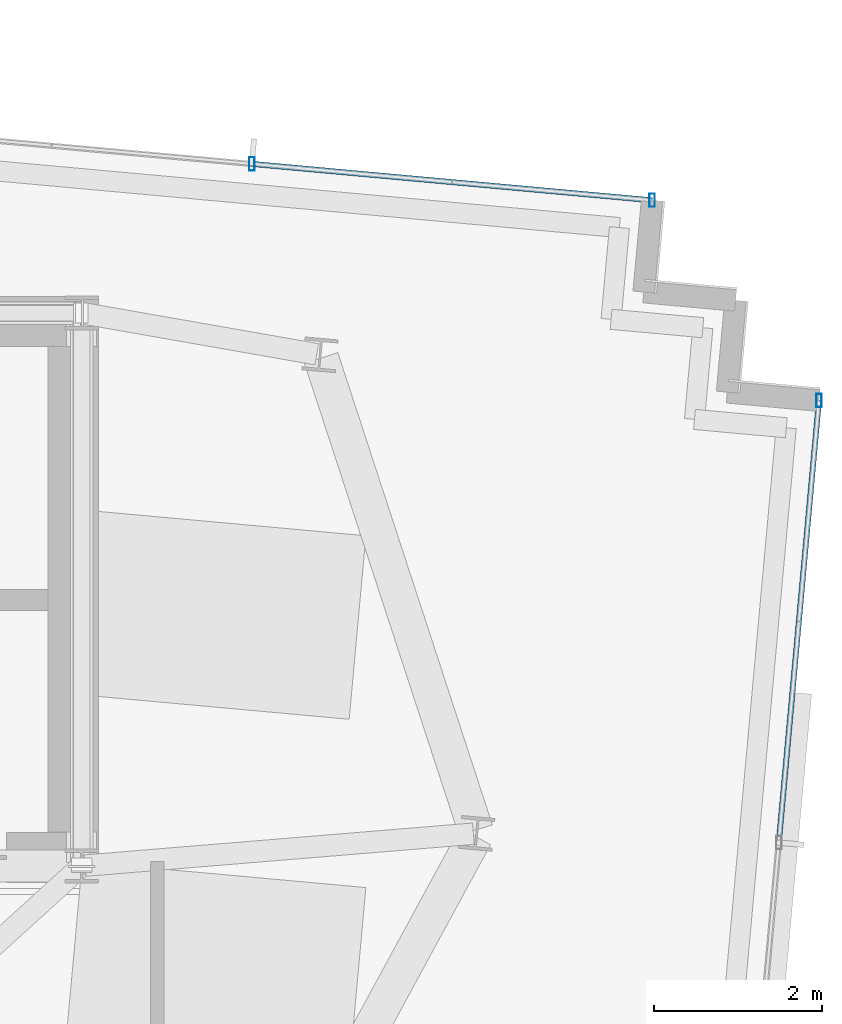
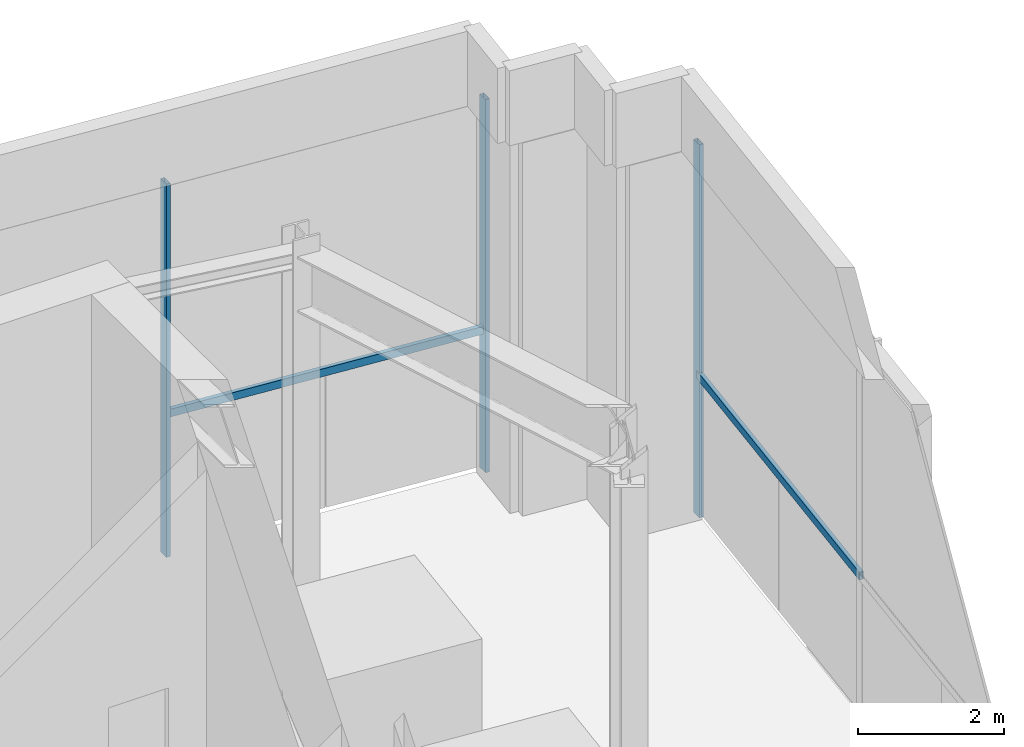
# One storey, part 13 of 18: 5 members, 2 elements without a shape of their own.
"""IFC4 building model written with IfcOpenShell, lengths in metres."""

from ifc_helpers import new_model, si_unit, direction, frame, origin, origin_2d, place, context, subcontext, project, spatial, hollow_rectangle, extrude, source, transform, mapped, material, material_profile, profile_set, type_object, type_shapes, element, aggregate, save


model = new_model("IFC4")

# Units and contexts
model_context = context("Model", 3, precision=1e-05, world=origin(), true_north=direction((0.0, 1.0)))
body_context = subcontext(model_context, "Body", "Model", "MODEL_VIEW")
ifc_project = project(units=[si_unit("LENGTHUNIT", "METRE"), si_unit("AREAUNIT", "SQUARE_METRE"), si_unit("VOLUMEUNIT", "CUBIC_METRE"), si_unit("PLANEANGLEUNIT", "RADIAN"), si_unit("MASSUNIT", "GRAM", prefix="KILO")], contexts=[model_context])

# Site, building, storey
site_placement = place(None, origin())
site = spatial("IfcSite", under=ifc_project, at=site_placement, CompositionType="ELEMENT")
building_placement = place(site_placement, origin())
building = spatial("IfcBuilding", under=site, at=building_placement, Name="Astriad Promenade Condominiums", CompositionType="ELEMENT")
storey_placement = place(building_placement, frame((0.0, 0.0, 290.300048828125)))
storey = spatial("IfcBuildingStorey", under=building, at=storey_placement, Name="L80", CompositionType="ELEMENT", Elevation=290.300048828125)

# Curtain wall, member
ifc_material_1 = material(Name="Anodised aluminium Black Dark Glass Unitised", Category="aluminium")
curtain_wall_type = type_object("IfcCurtainWallType", Name="CW-TMD-LANTERN", PredefinedType="USERDEFINED", material=ifc_material_1)
curtain_wall_1_placement = place(storey_placement, origin())
curtain_wall_1 = element("IfcCurtainWall", 1, at=curtain_wall_1_placement, inside=storey, type_object=curtain_wall_type, Name="CW-CRN-L80-13", ObjectType="UNITISED_CURTAIN_WALL", PredefinedType="USERDEFINED")
ifc_material_2 = material(Name="Anodised aluminium 6063-T6 Black", Category="aluminium")
ifc_material_profile_1 = material_profile(ifc_material_2, hollow_rectangle(XDim=0.06494140625, YDim=0.1298828125, WallThickness=0.00390625, at=origin_2d()), Name="ALU-TRN-65X130")
ifc_profile_set_1 = profile_set([ifc_material_profile_1], Name="Anodised aluminium 6063-T6 Black")
member_type_1 = type_object("IfcMemberType", Name="TRN-ALU-TRN-65X130", PredefinedType="USERDEFINED", material=ifc_profile_set_1)
shared_shape_1 = source(origin(), body_context, "Body", "SweptSolid", [
    extrude(hollow_rectangle(XDim=0.06494140625, YDim=0.1298828125, WallThickness=0.00390625, at=origin_2d()), origin(), (0.0, 0.0, 1.0), 5.300048828125),
])
member_1_placement = place(storey_placement, frame((54.402099609375, 22.956298828125, 2.349853515625), z_axis=(-0.090606350912, -0.99588678532, 0.0), x_axis=(0.99588678532, -0.090606350912, 0.0)))
member_1 = element("IfcMember", 2, at=member_1_placement, type_object=member_type_1, Name="CW-CRN-L80-13-TRN-00-0", ObjectType="TRANSOM", PredefinedType="USERDEFINED", context=body_context, shape_type="MappedRepresentation", body=[
    mapped(shared_shape_1, transform((0.0, 0.0, 0.0), scale=1.0)),
])

# Curtain wall, members
curtain_wall_2_placement = place(storey_placement, origin())
curtain_wall_2 = element("IfcCurtainWall", 3, at=curtain_wall_2_placement, inside=storey, type_object=curtain_wall_type, Name="CW-CRN-L80-08", ObjectType="UNITISED_CURTAIN_WALL", PredefinedType="USERDEFINED")
ifc_material_profile_2 = material_profile(ifc_material_2, hollow_rectangle(XDim=0.06494140625, YDim=0.159912109375, WallThickness=0.00390625, at=origin_2d()), Name="ALU-MUL-65X160")
ifc_profile_set_2 = profile_set([ifc_material_profile_2], Name="Anodised aluminium 6063-T6 Black")
member_type_2 = type_object("IfcMemberType", Name="MUL-ALU-MUL-65X160", PredefinedType="MULLION", material=ifc_profile_set_2)
shared_shape_2 = source(origin(), body_context, "Body", "SweptSolid", [
    extrude(hollow_rectangle(XDim=0.06494140625, YDim=0.159912109375, WallThickness=0.00390625, at=origin_2d()), origin(), (0.0, 0.0, 1.0), 6.219970703125),
])
type_shapes(member_type_2, [shared_shape_2])
member_2_placement = place(storey_placement, frame((47.63037109375, 25.781494140625, 0.0), z_axis=(0.0, 0.0, 1.0), x_axis=(1.0, 0.0, 0.0)))
member_2 = element("IfcMember", 4, at=member_2_placement, type_object=member_type_2, Name="CW-CRN-L80-08-MUL-06", PredefinedType="MULLION", context=body_context, shape_type="MappedRepresentation", body=[
    mapped(shared_shape_2, transform((0.0, 0.0, 0.0), scale=1.0)),
])
member_3_placement = place(storey_placement, frame((52.41064453125, 25.346435546875, 0.0), z_axis=(0.0, 0.0, 1.0), x_axis=(1.0, 0.0, 0.0)))
member_3 = element("IfcMember", 5, at=member_3_placement, type_object=member_type_2, Name="CW-CRN-L80-08-MUL-07", PredefinedType="MULLION", context=body_context, shape_type="MappedRepresentation", body=[
    mapped(shared_shape_2, transform((0.0, 0.0, 0.0), scale=1.0)),
])

# Member
member_4_placement = place(storey_placement, frame((54.402099609375, 22.956298828125, 0.0), z_axis=(0.0, 0.0, 1.0), x_axis=(1.0, 0.0, 0.0)))
member_4 = element("IfcMember", 6, at=member_4_placement, type_object=member_type_2, Name="CW-CRN-L80-13-MUL-00", PredefinedType="MULLION", context=body_context, shape_type="MappedRepresentation", body=[
    mapped(shared_shape_2, transform((0.0, 0.0, 0.0), scale=1.0)),
])

aggregate(curtain_wall_1, [member_4, member_1])

shared_shape_3 = source(origin(), body_context, "Body", "SweptSolid", [
    extrude(hollow_rectangle(XDim=0.06494140625, YDim=0.1298828125, WallThickness=0.00390625, at=origin_2d()), origin(), (0.0, 0.0, 1.0), 4.800048828125),
])
type_shapes(member_type_1, [shared_shape_1, shared_shape_3])
member_5_placement = place(storey_placement, frame((47.63037109375, 25.781494140625, 2.349853515625), z_axis=(0.995884029465, -0.09063663639, 0.0), x_axis=(0.09063663639, 0.995884029465, 0.0)))
member_5 = element("IfcMember", 7, at=member_5_placement, type_object=member_type_1, Name="CW-CRN-L80-08-TRN-06-0", ObjectType="TRANSOM", PredefinedType="USERDEFINED", context=body_context, shape_type="MappedRepresentation", body=[
    mapped(shared_shape_3, transform((0.0, 0.0, 0.0), scale=1.0)),
])

aggregate(curtain_wall_2, [member_2, member_3, member_5])

save(model, "model.ifc")
